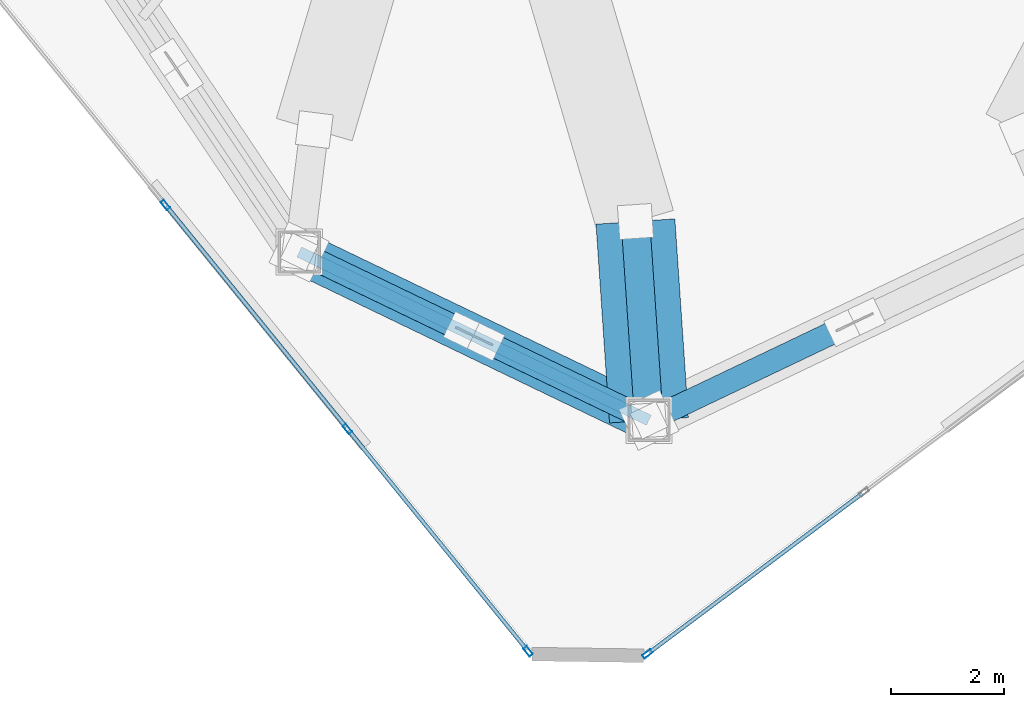
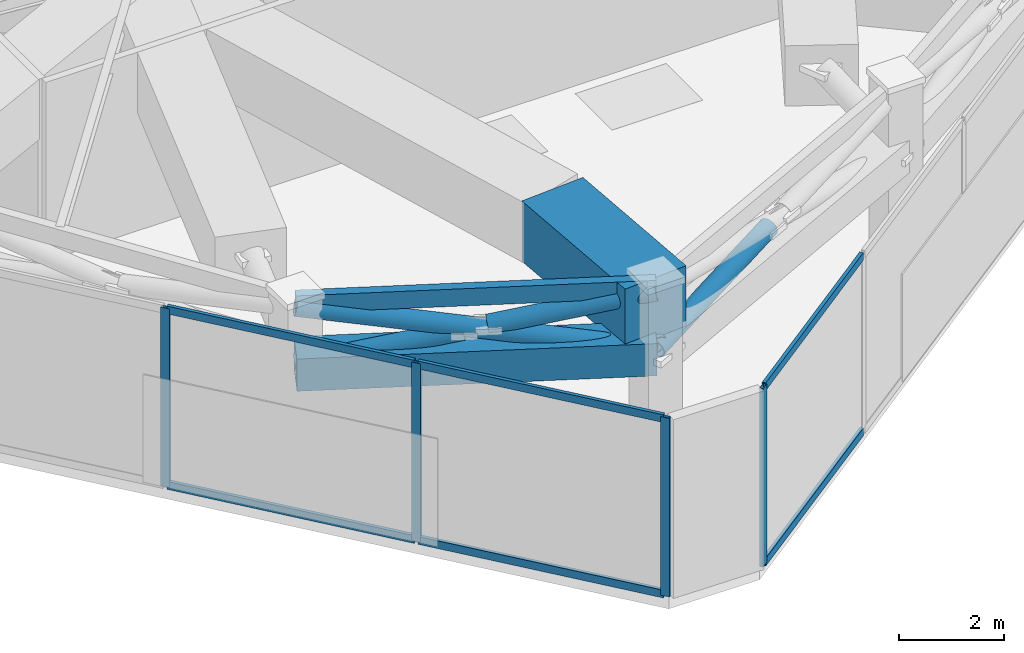
# One storey, part 2 of 19: 16 members, 2 beams, 2 elements without a shape of their own.
"""IFC4 building model written with IfcOpenShell, lengths in metres."""

from ifc_helpers import new_model, si_unit, direction, frame, origin, origin_2d, place, context, subcontext, project, spatial, rectangle, hollow_rectangle, hollow_circle, extrude, source, transform, mapped, material, layer, layer_set, material_profile, profile_set, type_object, type_shapes, element, aggregate, save


model = new_model("IFC4")

# Units and contexts
model_context = context("Model", 3, precision=1e-05, world=origin(), true_north=direction((0.0, 1.0)))
body_context = subcontext(model_context, "Body", "Model", "MODEL_VIEW")
ifc_project = project(units=[si_unit("LENGTHUNIT", "METRE"), si_unit("AREAUNIT", "SQUARE_METRE"), si_unit("VOLUMEUNIT", "CUBIC_METRE"), si_unit("PLANEANGLEUNIT", "RADIAN"), si_unit("MASSUNIT", "GRAM", prefix="KILO")], contexts=[model_context])

# Site, building, storey
site_placement = place(None, origin())
site = spatial("IfcSite", under=ifc_project, at=site_placement, CompositionType="ELEMENT")
building_placement = place(site_placement, origin())
building = spatial("IfcBuilding", under=site, at=building_placement, Name="Talar Marvaseh", CompositionType="ELEMENT")
storey_placement = place(building_placement, frame((0.0, 0.0, 236.199951171875)))
storey = spatial("IfcBuildingStorey", under=building, at=storey_placement, Name="L62", CompositionType="ELEMENT", Elevation=236.199951171875)

# Beams
ifc_material_1 = material(Name="Concrete C70/85", Category="concrete")
ifc_material_profile_1 = material_profile(ifc_material_1, rectangle(XDim=1.39990234375, YDim=1.39990234375, at=origin_2d()), Name="RC1400x1400")
ifc_profile_set_1 = profile_set([ifc_material_profile_1], Name="Concrete C70/85")
beam_type_1 = type_object("IfcBeamType", Name="Setback Deep Concrete Transfer Girder RC1400x1400", PredefinedType="BEAM", material=ifc_profile_set_1)
beam_1_placement = place(storey_placement, frame((22.014892578125, 11.51904296875, 3.449951171875), z_axis=(-0.067726538596, 0.997703921998, 0.0), x_axis=(-0.997703921998, -0.067726538596, 0.0)))
element("IfcBeam", 1, at=beam_1_placement, inside=storey, type_object=beam_type_1, Name="L62 Setback Cantilever Transfer Girder 11", PredefinedType="BEAM", context=body_context, shape_type="SweptSolid", body=[
    extrude(rectangle(XDim=1.39990234375, YDim=1.39990234375, at=origin_2d()), origin(), (0.0, 0.0, 1.0), 3.529052734375),
])
ifc_material_2 = material(Name="Steel S355", Category="steel")
ifc_material_profile_2 = material_profile(ifc_material_2, hollow_rectangle(XDim=0.199951171875, YDim=0.39990234375, WallThickness=0.013916015625, at=origin_2d()), Name="RHS400x200x14")
ifc_profile_set_2 = profile_set([ifc_material_profile_2], Name="Steel S355")
beam_type_2 = type_object("IfcBeamType", Name="Zone 3 Perimeter Spandrel Beam RHS400x200x14", PredefinedType="SPANDREL", material=ifc_profile_set_2)
beam_2_placement = place(storey_placement, frame((22.014892578125, 11.51904296875, 3.949951171875), z_axis=(-0.901071562993, 0.433670425975, 0.0), x_axis=(-0.433670425975, -0.901071562993, 0.0)))
element("IfcBeam", 2, at=beam_2_placement, inside=storey, type_object=beam_type_2, Name="L62 Zone 3 Perimeter Spandrel Beam RHS400x200x14", PredefinedType="SPANDREL", context=body_context, shape_type="SweptSolid", body=[
    extrude(hollow_rectangle(XDim=0.199951171875, YDim=0.39990234375, WallThickness=0.013916015625, at=origin_2d()), origin(), (0.0, 0.0, 1.0), 6.8759765625),
])

# Members
ifc_material_3 = material(Name="Steel S460", Category="steel")
ifc_material_profile_3 = material_profile(ifc_material_3, hollow_circle(Radius=0.25390625, WallThickness=0.02001953125, at=origin_2d()), Name="CHS508x20")
ifc_profile_set_3 = profile_set([ifc_material_profile_3], Name="Steel S460")
member_type_1 = type_object("IfcMemberType", Name="Crown Frame Diagonal Brace CHS508x20", PredefinedType="BRACE", material=ifc_profile_set_3)
shared_shape_1 = source(origin(), body_context, "Body", "SweptSolid", [
    extrude(hollow_circle(Radius=0.25390625, WallThickness=0.02001953125, at=origin_2d()), origin(), (0.0, 0.0, 1.0), 3.696533203125),
])
type_shapes(member_type_1, [shared_shape_1])
member_1_placement = place(storey_placement, frame((22.014892578125, 11.51904296875, 2.550048828125), z_axis=(-0.064657931247, 0.95249916695, 0.297598200408), x_axis=(-0.997703921998, -0.067726538596, 0.0)))
element("IfcMember", 3, at=member_1_placement, inside=storey, type_object=member_type_1, Name="L62 Setback Transfer Raked Strut 11", PredefinedType="BRACE", context=body_context, shape_type="MappedRepresentation", body=[
    mapped(shared_shape_1, transform((0.0, 0.0, 0.0), x_axis=(1.0, 0.0, 0.0), y_axis=(0.0, 1.0, 0.0), z_axis=(0.0, 0.0, 1.0), scale=1.0)),
])
ifc_material_profile_4 = material_profile(ifc_material_3, hollow_circle(Radius=0.203125, WallThickness=0.01611328125, at=origin_2d()), Name="CHS406x16")
ifc_profile_set_4 = profile_set([ifc_material_profile_4], Name="Steel S460")
member_type_2 = type_object("IfcMemberType", Name="Belt Truss Diagonal Brace CHS406x16", PredefinedType="BRACE", material=ifc_profile_set_4)
shared_shape_2 = source(origin(), body_context, "Body", "SweptSolid", [
    extrude(hollow_circle(Radius=0.203125, WallThickness=0.01611328125, at=origin_2d()), origin(), (0.0, 0.0, 1.0), 3.851318359375),
])
member_2_placement = place(storey_placement, frame((22.014892578125, 11.51904296875, 2.5), z_axis=(0.89019272577, 0.424652928145, 0.165005459316), x_axis=(-0.430554690464, 0.902564489951, 0.0)))
element("IfcMember", 4, at=member_2_placement, inside=storey, type_object=member_type_2, Name="L62 Belt Truss Split Diagonal Lower 6", PredefinedType="BRACE", context=body_context, shape_type="MappedRepresentation", body=[
    mapped(shared_shape_2, transform((0.0, 0.0, 0.0), x_axis=(1.0, 0.0, 0.0), y_axis=(0.0, 1.0, 0.0), z_axis=(0.0, 0.0, 1.0), scale=1.0)),
])
ifc_material_profile_5 = material_profile(ifc_material_3, hollow_rectangle(XDim=0.75, YDim=0.75, WallThickness=0.0400390625, at=origin_2d()), Name="BOX750x750x40")
ifc_profile_set_5 = profile_set([ifc_material_profile_5], Name="Steel S460")
member_type_3 = type_object("IfcMemberType", Name="Belt Truss Chord Member BOX750x750x40", PredefinedType="CHORD", material=ifc_profile_set_5)
shared_shape_3 = source(origin(), body_context, "Body", "SweptSolid", [
    extrude(hollow_rectangle(XDim=0.75, YDim=0.75, WallThickness=0.0400390625, at=origin_2d()), origin(), (0.0, 0.0, 1.0), 6.8759765625),
])
type_shapes(member_type_3, [shared_shape_3])
member_3_placement = place(storey_placement, frame((22.014892578125, 11.51904296875, 2.5), z_axis=(-0.901071562993, 0.433670425975, 0.0), x_axis=(-0.433670425975, -0.901071562993, 0.0)))
element("IfcMember", 5, at=member_3_placement, inside=storey, type_object=member_type_3, Name="L62 Belt Truss Bottom Chord 7", PredefinedType="CHORD", context=body_context, shape_type="MappedRepresentation", body=[
    mapped(shared_shape_3, transform((0.0, 0.0, 0.0), x_axis=(1.0, 0.0, 0.0), y_axis=(0.0, 1.0, 0.0), z_axis=(0.0, 0.0, 1.0), scale=1.0)),
])
shared_shape_4 = source(origin(), body_context, "Body", "SweptSolid", [
    extrude(hollow_circle(Radius=0.203125, WallThickness=0.01611328125, at=origin_2d()), origin(), (0.0, 0.0, 1.0), 7.00732421875),
])
member_4_placement = place(storey_placement, frame((22.014892578125, 11.51904296875, 2.5), z_axis=(-0.884188838664, 0.425545057745, 0.192669409639), x_axis=(-0.433670425975, -0.901071562993, 0.0)))
element("IfcMember", 6, at=member_4_placement, inside=storey, type_object=member_type_2, Name="L62 Belt Truss Continuous Diagonal 7", PredefinedType="BRACE", context=body_context, shape_type="MappedRepresentation", body=[
    mapped(shared_shape_4, transform((0.0, 0.0, 0.0), x_axis=(1.0, 0.0, 0.0), y_axis=(0.0, 1.0, 0.0), z_axis=(0.0, 0.0, 1.0), scale=1.0)),
])
shared_shape_5 = source(origin(), body_context, "Body", "SweptSolid", [
    extrude(hollow_circle(Radius=0.203125, WallThickness=0.01611328125, at=origin_2d()), origin(), (0.0, 0.0, 1.0), 3.263671875),
])
type_shapes(member_type_2, [shared_shape_2, shared_shape_4, shared_shape_5])
for number, where, z_axis, x_axis, name in (
    (7, (15.819091796875, 14.5009765625, 2.5), (0.884177642551, -0.42555724268, 0.192693875399), (0.433684966828, 0.901064564583, 0.0), "L62 Belt Truss Split Diagonal Lower 7"),
    (8, (19.129150390625, 12.907958984375, 3.22119140625), (0.884177642551, -0.42555724268, 0.192693875399), (0.433684966828, 0.901064564583, 0.0), "L62 Belt Truss Split Diagonal Upper 7"),
):
    element("IfcMember", number, at=place(storey_placement, frame(where, z_axis=z_axis, x_axis=x_axis)), inside=storey, type_object=member_type_2, Name=name, PredefinedType="BRACE", context=body_context, shape_type="MappedRepresentation", body=[
        mapped(shared_shape_5, transform((0.0, 0.0, 0.0), x_axis=(1.0, 0.0, 0.0), y_axis=(0.0, 1.0, 0.0), z_axis=(0.0, 0.0, 1.0), scale=1.0)),
    ])

# Curtain wall, members
ifc_material_4 = material(Name="Architectural Aluminium", Category="aluminium")
ifc_layer = layer(ifc_material_4, 0.18994140625)
ifc_layer_set = layer_set([ifc_layer], Name="Architectural Aluminium")
curtain_wall_type = type_object("IfcCurtainWallType", Name="Unitised Solar Atelier Curtain Wall Z3", PredefinedType="NOTDEFINED", material=ifc_layer_set)
curtain_wall_1_placement = place(storey_placement, origin())
curtain_wall_1 = element("IfcCurtainWall", 9, at=curtain_wall_1_placement, inside=storey, type_object=curtain_wall_type, Name="L62 Unitised Solar Atelier Curtain Wall Z3", PredefinedType="NOTDEFINED")
ifc_material_profile_6 = material_profile(ifc_material_4, hollow_rectangle(XDim=0.074951171875, YDim=0.179931640625, WallThickness=0.0048828125, at=origin_2d()), Name="RHS180x75x5")
ifc_profile_set_6 = profile_set([ifc_material_profile_6], Name="Architectural Aluminium")
member_type_4 = type_object("IfcMemberType", Name="Unitised Curtain Wall Standard Mullion RHS180x75x5", PredefinedType="MULLION", material=ifc_profile_set_6)
shared_shape_6 = source(origin(), body_context, "Body", "SweptSolid", [
    extrude(hollow_rectangle(XDim=0.074951171875, YDim=0.179931640625, WallThickness=0.0048828125, at=origin_2d()), origin(), (0.0, 0.0, 1.0), 4.150146484375),
])
type_shapes(member_type_4, [shared_shape_6])
member_5_placement = place(storey_placement, frame((19.875, 7.427490234375, 0.0), z_axis=(0.0, 0.0, 1.0), x_axis=(-0.776086081319, -0.630626985138, 0.0)))
member_5 = element("IfcMember", 10, at=member_5_placement, type_object=member_type_4, Name="CW-Z3 mullion 1", PredefinedType="MULLION", context=body_context, shape_type="MappedRepresentation", body=[
    mapped(shared_shape_6, transform((0.0, 0.0, 0.0), x_axis=(1.0, 0.0, 0.0), y_axis=(0.0, 1.0, 0.0), z_axis=(0.0, 0.0, 1.0), scale=1.0)),
])
member_6_placement = place(storey_placement, frame((16.67431640625, 11.366455078125, 0.0), z_axis=(0.0, 0.0, 1.0), x_axis=(-0.776086081319, -0.630626985138, 0.0)))
member_6 = element("IfcMember", 11, at=member_6_placement, type_object=member_type_4, Name="CW-Z3 mullion 2", PredefinedType="MULLION", context=body_context, shape_type="MappedRepresentation", body=[
    mapped(shared_shape_6, transform((0.0, 0.0, 0.0), x_axis=(1.0, 0.0, 0.0), y_axis=(0.0, 1.0, 0.0), z_axis=(0.0, 0.0, 1.0), scale=1.0)),
])
member_7_placement = place(storey_placement, frame((13.44970703125, 15.33447265625, 0.0), z_axis=(0.0, 0.0, 1.0), x_axis=(-0.776086081319, -0.630626985138, 0.0)))
member_7 = element("IfcMember", 12, at=member_7_placement, type_object=member_type_4, Name="CW-Z3 mullion 3", PredefinedType="MULLION", context=body_context, shape_type="MappedRepresentation", body=[
    mapped(shared_shape_6, transform((0.0, 0.0, 0.0), x_axis=(1.0, 0.0, 0.0), y_axis=(0.0, 1.0, 0.0), z_axis=(0.0, 0.0, 1.0), scale=1.0)),
])

# Curtain wall, member
curtain_wall_2_placement = place(storey_placement, origin())
curtain_wall_2 = element("IfcCurtainWall", 13, at=curtain_wall_2_placement, inside=storey, type_object=curtain_wall_type, Name="L62 Unitised Solar Atelier Curtain Wall Z3", PredefinedType="NOTDEFINED")
member_8_placement = place(storey_placement, frame((21.988525390625, 7.3818359375, 0.0), z_axis=(0.0, 0.0, 1.0), x_axis=(0.598447667514, -0.801161899523, 0.0)))
member_8 = element("IfcMember", 14, at=member_8_placement, type_object=member_type_4, Name="CW-Z3 mullion 5", PredefinedType="MULLION", context=body_context, shape_type="MappedRepresentation", body=[
    mapped(shared_shape_6, transform((0.0, 0.0, 0.0), x_axis=(1.0, 0.0, 0.0), y_axis=(0.0, 1.0, 0.0), z_axis=(0.0, 0.0, 1.0), scale=1.0)),
])

# Member
ifc_material_profile_7 = material_profile(ifc_material_4, hollow_rectangle(XDim=0.074951171875, YDim=0.179931640625, WallThickness=0.0048828125, at=origin_2d()), Name="RHS180x75x5")
ifc_profile_set_7 = profile_set([ifc_material_profile_7], Name="Architectural Aluminium")
member_type_5 = type_object("IfcMemberType", Name="Unitised Curtain Wall Transom RHS180x75x5", PredefinedType="USERDEFINED", material=ifc_profile_set_7)
shared_shape_7 = source(origin(), body_context, "Body", "SweptSolid", [
    extrude(hollow_rectangle(XDim=0.074951171875, YDim=0.179931640625, WallThickness=0.0048828125, at=origin_2d()), origin(), (0.0, 0.0, 1.0), 5.0380859375),
])
member_9_placement = place(storey_placement, frame((16.650634765625, 11.3955078125, 0.03759765625), z_axis=(-0.630645529464, 0.776071012322, 0.0), x_axis=(-0.776071012322, -0.630645529464, 0.0)))
member_9 = element("IfcMember", 15, at=member_9_placement, type_object=member_type_5, Name="CW-Z3 transom 2.1", ObjectType="TRANSOM", PredefinedType="USERDEFINED", context=body_context, shape_type="MappedRepresentation", body=[
    mapped(shared_shape_7, transform((0.0, 0.0, 0.0), x_axis=(1.0, 0.0, 0.0), y_axis=(0.0, 1.0, 0.0), z_axis=(0.0, 0.0, 1.0), scale=1.0)),
])

member_10_placement = place(storey_placement, frame((16.650634765625, 11.3955078125, 4.112548828125), z_axis=(-0.630645529464, 0.776071012322, 0.0), x_axis=(-0.776071012322, -0.630645529464, 0.0)))
member_10 = element("IfcMember", 16, at=member_10_placement, type_object=member_type_5, Name="CW-Z3 transom 2.2", ObjectType="TRANSOM", PredefinedType="USERDEFINED", context=body_context, shape_type="MappedRepresentation", body=[
    mapped(shared_shape_7, transform((0.0, 0.0, 0.0), x_axis=(1.0, 0.0, 0.0), y_axis=(0.0, 1.0, 0.0), z_axis=(0.0, 0.0, 1.0), scale=1.0)),
])

shared_shape_8 = source(origin(), body_context, "Body", "SweptSolid", [
    extrude(hollow_rectangle(XDim=0.074951171875, YDim=0.179931640625, WallThickness=0.0048828125, at=origin_2d()), origin(), (0.0, 0.0, 1.0), 5.00048828125),
])
member_11_placement = place(storey_placement, frame((19.851318359375, 7.45654296875, 0.03759765625), z_axis=(-0.630636736396, 0.776078157603, 0.0), x_axis=(-0.776078157603, -0.630636736396, 0.0)))
member_11 = element("IfcMember", 17, at=member_11_placement, type_object=member_type_5, Name="CW-Z3 transom 1.1", ObjectType="TRANSOM", PredefinedType="USERDEFINED", context=body_context, shape_type="MappedRepresentation", body=[
    mapped(shared_shape_8, transform((0.0, 0.0, 0.0), x_axis=(1.0, 0.0, 0.0), y_axis=(0.0, 1.0, 0.0), z_axis=(0.0, 0.0, 1.0), scale=1.0)),
])

member_12_placement = place(storey_placement, frame((19.851318359375, 7.45654296875, 4.112548828125), z_axis=(-0.630636736396, 0.776078157603, 0.0), x_axis=(-0.776078157603, -0.630636736396, 0.0)))
member_12 = element("IfcMember", 18, at=member_12_placement, type_object=member_type_5, Name="CW-Z3 transom 1.2", ObjectType="TRANSOM", PredefinedType="USERDEFINED", context=body_context, shape_type="MappedRepresentation", body=[
    mapped(shared_shape_8, transform((0.0, 0.0, 0.0), x_axis=(1.0, 0.0, 0.0), y_axis=(0.0, 1.0, 0.0), z_axis=(0.0, 0.0, 1.0), scale=1.0)),
])

aggregate(curtain_wall_1, [member_5, member_6, member_7, member_11, member_12, member_9, member_10])

shared_shape_9 = source(origin(), body_context, "Body", "SweptSolid", [
    extrude(hollow_rectangle(XDim=0.074951171875, YDim=0.179931640625, WallThickness=0.0048828125, at=origin_2d()), origin(), (0.0, 0.0, 1.0), 4.70947265625),
])
type_shapes(member_type_5, [shared_shape_7, shared_shape_8, shared_shape_9])
member_13_placement = place(storey_placement, frame((25.791748046875, 10.222900390625, 0.03759765625), z_axis=(-0.801130754836, -0.598489359685, 0.0), x_axis=(0.598489359685, -0.801130754836, 0.0)))
member_13 = element("IfcMember", 19, at=member_13_placement, type_object=member_type_5, Name="CW-Z3 transom 4.1", ObjectType="TRANSOM", PredefinedType="USERDEFINED", context=body_context, shape_type="MappedRepresentation", body=[
    mapped(shared_shape_9, transform((0.0, 0.0, 0.0), x_axis=(1.0, 0.0, 0.0), y_axis=(0.0, 1.0, 0.0), z_axis=(0.0, 0.0, 1.0), scale=1.0)),
])

member_14_placement = place(storey_placement, frame((25.791748046875, 10.222900390625, 4.112548828125), z_axis=(-0.801130754836, -0.598489359685, 0.0), x_axis=(0.598489359685, -0.801130754836, 0.0)))
member_14 = element("IfcMember", 20, at=member_14_placement, type_object=member_type_5, Name="CW-Z3 transom 4.2", ObjectType="TRANSOM", PredefinedType="USERDEFINED", context=body_context, shape_type="MappedRepresentation", body=[
    mapped(shared_shape_9, transform((0.0, 0.0, 0.0), x_axis=(1.0, 0.0, 0.0), y_axis=(0.0, 1.0, 0.0), z_axis=(0.0, 0.0, 1.0), scale=1.0)),
])

aggregate(curtain_wall_2, [member_8, member_13, member_14])

save(model, "model.ifc")
